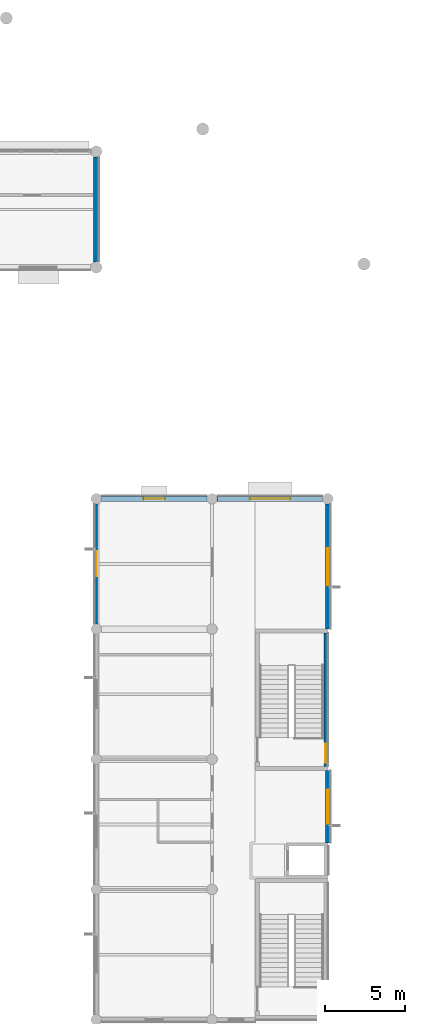
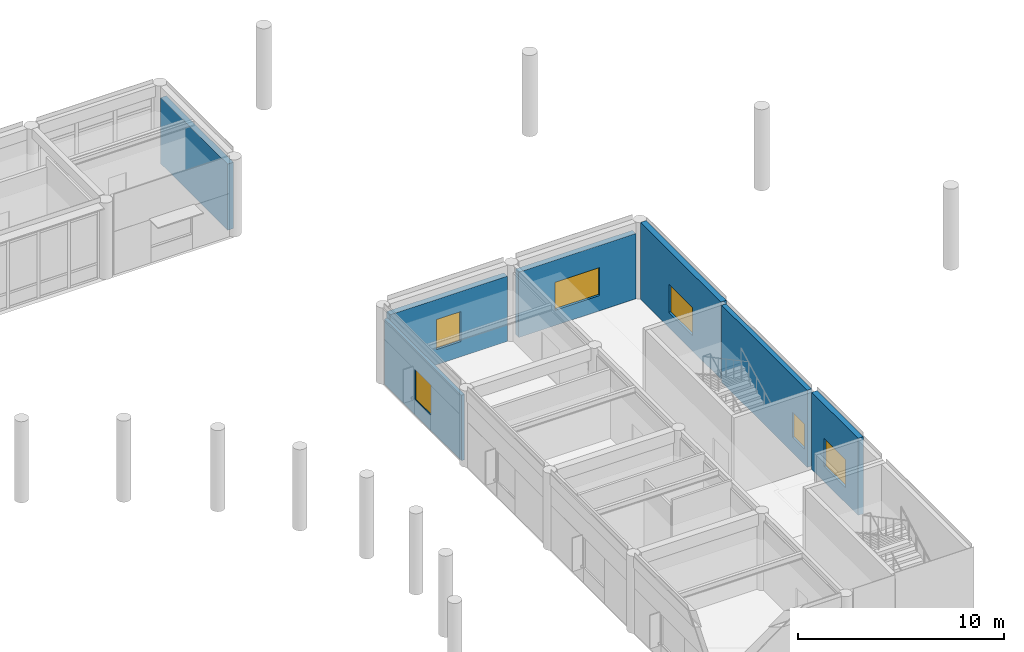
# One storey, part 54 of 92: 7 walls, 6 windows, 6 openings.
"""IFC4 building model written with IfcOpenShell, lengths in metres."""

import ifcopenshell
import ifcopenshell.guid

model = None  # the IFC model being written
_history = None  # IfcOwnerHistory: only IFC2X3 demands one
_inside = {}  # id of a spatial element -> (the spatial element, [elements in it])
_under = {}  # id of a project, library or spatial element -> (it, [spatial elements below it])
_declared = {}  # id of a project -> (the project, [libraries it declares])
_typed = {}  # id of a type object -> (the type object, [elements of that type])
_made_of = {}  # id of a material, layer set ... -> (it, [elements and type objects made of it])


def new_model(schema):
    """Start an empty IFC model of exactly this schema.

    Asked for "IFC4X3", IfcOpenShell would pick the latest addendum, in which some entities
    have other attributes; the version numbers below select the first issue.
    IFC2X3 requires an IfcOwnerHistory on every rooted entity: one is made here for all.
    """
    global model, _history
    if schema == "IFC4X3":
        model = ifcopenshell.file(schema_version=(4, 3, 0, 0))
    else:
        model = ifcopenshell.file(schema=schema)
    _inside.clear()
    _under.clear()
    _declared.clear()
    _typed.clear()
    _made_of.clear()
    _history = None
    if model.schema == "IFC2X3":
        org = make("IfcOrganization", Name="unknown")
        user = make(
            "IfcPersonAndOrganization",
            ThePerson=make("IfcPerson", FamilyName="unknown"),
            TheOrganization=org,
        )
        app = make(
            "IfcApplication",
            ApplicationDeveloper=org,
            Version="unknown",
            ApplicationFullName="unknown",
            ApplicationIdentifier="unknown",
        )
        _history = make(
            "IfcOwnerHistory",
            OwningUser=user,
            OwningApplication=app,
            ChangeAction="ADDED",
            CreationDate=0,
        )
    return model


def make(cls, **values):
    """One entity of the class cls with the attributes given. An attribute that is None is left unset."""
    return model.create_entity(
        cls, **{name: value for name, value in values.items() if value is not None}
    )


def rooted(cls, **values):
    """An entity with a GlobalId (a new one), such as an element, a storey or a relation."""
    return make(cls, GlobalId=ifcopenshell.guid.new(), OwnerHistory=_history, **values)


def si_unit(unit_type, name, prefix=None):
    """IfcSIUnit, for example si_unit("LENGTHUNIT", "METRE", prefix="MILLI")."""
    return make("IfcSIUnit", UnitType=unit_type, Prefix=prefix, Name=name)


def assignment(units):
    """IfcUnitAssignment: the units of a project."""
    return None if units is None else make("IfcUnitAssignment", Units=units)


def point(xyz):
    """IfcCartesianPoint."""
    return None if xyz is None else make("IfcCartesianPoint", Coordinates=xyz)


def direction(xyz):
    """IfcDirection."""
    return None if xyz is None else make("IfcDirection", DirectionRatios=xyz)


def frame(location, z_axis=None, x_axis=None):
    """IfcAxis2Placement3D, a coordinate frame: its origin and axes. An axis left out is left unset."""
    return make(
        "IfcAxis2Placement3D",
        Location=point(location),
        Axis=direction(z_axis),
        RefDirection=direction(x_axis),
    )


def frame_2d(location, x_axis=None):
    """IfcAxis2Placement2D, a coordinate frame in the plane: its origin and x axis."""
    return make(
        "IfcAxis2Placement2D", Location=point(location), RefDirection=direction(x_axis)
    )


def origin():
    """The frame at (0, 0, 0) with its axes left unset."""
    return frame((0.0, 0.0, 0.0))


def place(relative_to, where):
    """IfcLocalPlacement: puts the frame where relative to a parent placement (None: the world)."""
    return make(
        "IfcLocalPlacement", PlacementRelTo=relative_to, RelativePlacement=where
    )


def context(
    kind, dimensions, precision=None, world=None, true_north=None, identifier=None
):
    """IfcGeometricRepresentationContext, for example the 3D "Model" context."""
    return make(
        "IfcGeometricRepresentationContext",
        ContextIdentifier=identifier,
        ContextType=kind,
        CoordinateSpaceDimension=dimensions,
        Precision=precision,
        WorldCoordinateSystem=world,
        TrueNorth=true_north,
    )


def subcontext(parent, identifier, kind, view, scale=None):
    """IfcGeometricRepresentationSubContext, for example "Body" below "Model"."""
    return make(
        "IfcGeometricRepresentationSubContext",
        ContextIdentifier=identifier,
        ContextType=kind,
        ParentContext=parent,
        TargetScale=scale,
        TargetView=view,
    )


def project(units=None, contexts=None):
    """IfcProject with its units and contexts."""
    return rooted(
        "IfcProject",
        Name="project",
        RepresentationContexts=contexts,
        UnitsInContext=assignment(units),
    )


def spatial(cls, under=None, at=None, **own):
    """A site, building, storey or space (cls), placed at a placement, below another one or the project."""
    s = rooted(cls, ObjectPlacement=at, **own)
    if under is not None:
        _under.setdefault(under.id(), (under, []))[1].append(s)
    return s


def profile(cls, at=None, kind="AREA", **sizes):
    """A parametric profile (cls). Its sizes go by their IFC names, for example OverallWidth=200.0."""
    return make(cls, ProfileType=kind, Position=at, **sizes)


def rectangle(**sizes):
    """IfcRectangleProfileDef."""
    return profile("IfcRectangleProfileDef", **sizes)


def extrude(swept, where, along, depth):
    """IfcExtrudedAreaSolid: the profile swept, set in the frame where, extruded along a direction by depth."""
    return make(
        "IfcExtrudedAreaSolid",
        SweptArea=swept,
        Position=where,
        ExtrudedDirection=direction(along),
        Depth=depth,
    )


def shape(context_of_items, identifier, shape_type, items):
    """IfcShapeRepresentation: the items that make up one representation, for example the "Body"."""
    return make(
        "IfcShapeRepresentation",
        ContextOfItems=context_of_items,
        RepresentationIdentifier=identifier,
        RepresentationType=shape_type,
        Items=items,
    )


def material(Name=None, Category=None):
    """IfcMaterial."""
    return make("IfcMaterial", Name=Name, Category=Category)


def layer(
    of_material, thickness, ventilated=None, Name=None, Category=None, Priority=None
):
    """IfcMaterialLayer: one layer of a wall or slab, of a material (None: an air gap)."""
    return make(
        "IfcMaterialLayer",
        Material=of_material,
        LayerThickness=thickness,
        IsVentilated=ventilated,
        Name=Name,
        Category=Category,
        Priority=Priority,
    )


def layer_set(layers, Name=None):
    """IfcMaterialLayerSet."""
    return make("IfcMaterialLayerSet", MaterialLayers=layers, LayerSetName=Name)


def made_of(thing, what):
    """Note that an element or type object is made of a material, layer set ...; save() writes the relation."""
    if what is not None:
        _made_of.setdefault(what.id(), (what, []))[1].append(thing)
    return thing


def type_object(cls, material=None, **own):
    """A type object (cls), such as IfcWallType, which elements share."""
    return made_of(rooted(cls, **own), material)


def element(
    cls,
    number,
    at=None,
    inside=None,
    cuts=None,
    type_object=None,
    material=None,
    context=None,
    identifier="Body",
    shape_type=None,
    held_by="IfcProductDefinitionShape",
    body=None,
    shapes=None,
    **own,
):
    """One element of the class cls, such as IfcWall. Its Tag is "e" and its number.

    at: its placement. inside: the storey or other place that contains it. cuts: it is an
    opening in that element (IfcRelVoidsElement). A single representation is given by context,
    identifier, shape_type and body (its items); several are given by shapes. held_by: the class
    of the entity that holds the representations. save() writes the other relations.
    """
    e = rooted(cls, Tag="e%d" % number, ObjectPlacement=at, **own)
    if body is not None:
        shapes = [shape(context, identifier, shape_type, body)]
    if shapes is not None:
        e.Representation = make(held_by, Representations=shapes)
    if inside is not None:
        _inside.setdefault(inside.id(), (inside, []))[1].append(e)
    if cuts is not None:
        rooted(
            "IfcRelVoidsElement", RelatingBuildingElement=cuts, RelatedOpeningElement=e
        )
    if type_object is not None:
        _typed.setdefault(type_object.id(), (type_object, []))[1].append(e)
    return made_of(e, material)


def fill(opening, filler):
    """IfcRelFillsElement: the door or window that sits in an opening."""
    return rooted(
        "IfcRelFillsElement",
        RelatingOpeningElement=opening,
        RelatedBuildingElement=filler,
    )


def aggregate(whole, parts):
    """IfcRelAggregates: a whole, such as a stair, and the parts it consists of."""
    return rooted("IfcRelAggregates", RelatingObject=whole, RelatedObjects=parts)


def save(model, path):
    """Write the relations noted so far, then the file.

    IfcRelAggregates (storeys below a building ...), IfcRelContainedInSpatialStructure (elements
    in a storey), IfcRelDefinesByType, IfcRelAssociatesMaterial and IfcRelDeclares: one each for
    every whole, place, type object, material and project.
    """
    for whole, parts in _under.values():
        aggregate(whole, parts)
    for where, things in _inside.values():
        rooted(
            "IfcRelContainedInSpatialStructure",
            RelatedElements=things,
            RelatingStructure=where,
        )
    for kind, things in _typed.values():
        rooted("IfcRelDefinesByType", RelatedObjects=things, RelatingType=kind)
    for what, things in _made_of.values():
        rooted("IfcRelAssociatesMaterial", RelatedObjects=things, RelatingMaterial=what)
    for by, libraries in _declared.values():
        rooted("IfcRelDeclares", RelatingContext=by, RelatedDefinitions=libraries)
    model.write(path)


model = new_model("IFC4")

# Units and contexts
model_context = context("Model", 3, precision=1e-05, world=origin(), true_north=direction((0.0, 1.0)))
body_context = subcontext(model_context, "Body", "Model", "MODEL_VIEW")
ifc_project = project(units=[si_unit("LENGTHUNIT", "METRE"), si_unit("AREAUNIT", "SQUARE_METRE"), si_unit("VOLUMEUNIT", "CUBIC_METRE"), si_unit("PLANEANGLEUNIT", "RADIAN"), si_unit("MASSUNIT", "GRAM", prefix="KILO")], contexts=[model_context])

# Site, building, storey
site_placement = place(None, origin())
site = spatial("IfcSite", under=ifc_project, at=site_placement, CompositionType="ELEMENT")
building_placement = place(site_placement, origin())
building = spatial("IfcBuilding", under=site, at=building_placement, Name="Namkhue Oval Health Centre", CompositionType="ELEMENT")
storey_placement = place(building_placement, frame((0.0, 0.0, 4.800048828125)))
storey = spatial("IfcBuildingStorey", under=building, at=storey_placement, Name="L01", CompositionType="ELEMENT", Elevation=4.800048828125)

# Wall, opening, window
ifc_material_1 = material(Name="Autoclaved aerated concrete blockwork M7.5", Category="masonry")
ifc_layer_1 = layer(ifc_material_1, 0.179931640625)
ifc_layer_set_1 = layer_set([ifc_layer_1], Name="Autoclaved aerated concrete blockwork M7.5")
wall_type_1 = type_object("IfcWallType", Name="EXTERIOR ENVELOPE WALL 180", PredefinedType="STANDARD", material=ifc_layer_set_1)
wall_1_placement = place(storey_placement, frame((136.800048828125, 75.280029296875, 0.0), z_axis=(0.0, 0.0, 1.0), x_axis=(0.0, -1.0, 0.0)))
wall_1 = element("IfcWall", 1, at=wall_1_placement, inside=storey, type_object=wall_type_1, Name="Volume V6 L01 Exterior Envelope Wall 177", PredefinedType="STANDARD", context=body_context, shape_type="SweptSolid", body=[
    extrude(rectangle(XDim=7.4599609375, YDim=0.179931640625, at=frame_2d((3.72998046875, 0.0))), origin(), (0.0, 0.0, 1.0), 3.867919921875),
])
opening_1_placement = place(wall_1_placement, frame((2.955078125, 0.0, 0.89990234375)))
opening_1 = element("IfcOpeningElement", 2, at=opening_1_placement, cuts=wall_1, Name="Opening WN-42", PredefinedType="OPENING", context=body_context, shape_type="SweptSolid", body=[
    extrude(rectangle(XDim=1.550048828125, YDim=1.780029296875, at=frame_2d((0.77490234375, 0.89013671875))), frame((0.0, 0.099853515625, 0.0), z_axis=(0.0, -1.0, 0.0), x_axis=(1.0, 0.0, 0.0)), (0.0, 0.0, 1.0), 0.199951171875),
])
ifc_material_2 = material(Name="Thermally broken low-E laminated double glazing", Category="glass")
window_type_1 = type_object("IfcWindowType", Name="EXTERIOR WINDOW 1550X1780", PartitioningType="SINGLE_PANEL", PredefinedType="WINDOW", material=ifc_material_2)
window_1_placement = place(opening_1_placement, origin())
window_1 = element("IfcWindow", 3, at=window_1_placement, inside=storey, type_object=window_type_1, Name="Volume V6 L01 Exterior Window 132", OverallHeight=1.780029296875, OverallWidth=1.550048828125, PartitioningType="SINGLE_PANEL", PredefinedType="WINDOW", context=body_context, shape_type="SweptSolid", body=[
    extrude(rectangle(XDim=1.550048828125, YDim=1.780029296875, at=frame_2d((0.77490234375, 0.89013671875))), frame((0.0, 0.030029296875, 0.0), z_axis=(0.0, -1.0, 0.0), x_axis=(1.0, 0.0, 0.0)), (0.0, 0.0, 1.0), 0.06005859375),
])
fill(opening_1, window_1)

ifc_layer_2 = layer(ifc_material_1, 0.300048828125)
ifc_layer_set_2 = layer_set([ifc_layer_2], Name="Autoclaved aerated concrete blockwork M7.5")
wall_type_2 = type_object("IfcWallType", Name="EXTERIOR ENVELOPE WALL 300", PredefinedType="STANDARD", material=ifc_layer_set_2)
wall_2_placement = place(storey_placement, frame((151.199951171875, 54.201904296875, 0.0), z_axis=(0.0, 0.0, 1.0), x_axis=(0.0, 1.0, 0.0)))
wall_2 = element("IfcWall", 4, at=wall_2_placement, inside=storey, type_object=wall_type_2, Name="Volume V6 L01 Exterior Envelope Wall 173", PredefinedType="STANDARD", context=body_context, shape_type="SweptSolid", body=[
    extrude(rectangle(XDim=4.49609375, YDim=0.300048828125, at=frame_2d((2.248046875, 0.0))), origin(), (0.0, 0.0, 1.0), 4.56005859375),
])
opening_2_placement = place(wall_2_placement, frame((1.197998046875, 0.0, 0.89990234375)))
opening_2 = element("IfcOpeningElement", 5, at=opening_2_placement, cuts=wall_2, Name="Opening WN-38", PredefinedType="OPENING", context=body_context, shape_type="SweptSolid", body=[
    extrude(rectangle(XDim=2.10009765625, YDim=1.659912109375, at=frame_2d((1.050048828125, 0.830078125))), frame((0.0, 0.159912109375, 0.0), z_axis=(0.0, -1.0, 0.0), x_axis=(1.0, 0.0, 0.0)), (0.0, 0.0, 1.0), 0.320068359375),
])
window_type_2 = type_object("IfcWindowType", Name="EXTERIOR WINDOW 2100X1660", PartitioningType="SINGLE_PANEL", PredefinedType="WINDOW", material=ifc_material_2)
window_2_placement = place(opening_2_placement, origin())
window_2 = element("IfcWindow", 6, at=window_2_placement, inside=storey, type_object=window_type_2, Name="Volume V6 L01 Exterior Window 128", OverallHeight=1.659912109375, OverallWidth=2.10009765625, PartitioningType="SINGLE_PANEL", PredefinedType="WINDOW", context=body_context, shape_type="SweptSolid", body=[
    extrude(rectangle(XDim=2.10009765625, YDim=1.659912109375, at=frame_2d((1.050048828125, 0.830078125))), frame((0.0, 0.030029296875, 0.0), z_axis=(0.0, -1.0, 0.0), x_axis=(1.0, 0.0, 0.0)), (0.0, 0.0, 1.0), 0.06005859375),
])
fill(opening_2, window_2)

ifc_layer_3 = layer(ifc_material_1, 0.31005859375)
ifc_layer_set_3 = layer_set([ifc_layer_3], Name="Autoclaved aerated concrete blockwork M7.5")
wall_type_3 = type_object("IfcWallType", Name="EXTERIOR ENVELOPE WALL 310", PredefinedType="STANDARD", material=ifc_layer_set_3)
wall_3_placement = place(storey_placement, frame((151.199951171875, 67.501953125, 0.0), z_axis=(0.0, 0.0, 1.0), x_axis=(0.0, 1.0, 0.0)))
wall_3 = element("IfcWall", 7, at=wall_3_placement, inside=storey, type_object=wall_type_3, Name="Volume V6 L01 Exterior Envelope Wall 174", PredefinedType="STANDARD", context=body_context, shape_type="SweptSolid", body=[
    extrude(rectangle(XDim=7.778076171875, YDim=0.31005859375, at=frame_2d((3.88916015625, 0.0))), origin(), (0.0, 0.0, 1.0), 4.56005859375),
])
opening_3_placement = place(wall_3_placement, frame((2.739013671875, 0.0, 0.89990234375)))
opening_3 = element("IfcOpeningElement", 8, at=opening_3_placement, cuts=wall_3, Name="Opening WN-39", PredefinedType="OPENING", context=body_context, shape_type="SweptSolid", body=[
    extrude(rectangle(XDim=2.300048828125, YDim=1.659912109375, at=frame_2d((1.14990234375, 0.830078125))), frame((0.0, 0.1650390625, 0.0), z_axis=(0.0, -1.0, 0.0), x_axis=(1.0, 0.0, 0.0)), (0.0, 0.0, 1.0), 0.330078125),
])
window_type_3 = type_object("IfcWindowType", Name="EXTERIOR WINDOW 2300X1660", PartitioningType="SINGLE_PANEL", PredefinedType="WINDOW", material=ifc_material_2)
window_3_placement = place(opening_3_placement, origin())
window_3 = element("IfcWindow", 9, at=window_3_placement, inside=storey, type_object=window_type_3, Name="Volume V6 L01 Exterior Window 129", OverallHeight=1.659912109375, OverallWidth=2.300048828125, PartitioningType="SINGLE_PANEL", PredefinedType="WINDOW", context=body_context, shape_type="SweptSolid", body=[
    extrude(rectangle(XDim=2.300048828125, YDim=1.659912109375, at=frame_2d((1.14990234375, 0.830078125))), frame((0.0, 0.030029296875, 0.0), z_axis=(0.0, -1.0, 0.0), x_axis=(1.0, 0.0, 0.0)), (0.0, 0.0, 1.0), 0.06005859375),
])
fill(opening_3, window_3)

# Wall
ifc_layer_4 = layer(ifc_material_1, 0.320068359375)
ifc_layer_set_4 = layer_set([ifc_layer_4], Name="Autoclaved aerated concrete blockwork M7.5")
wall_type_4 = type_object("IfcWallType", Name="EXTERIOR ENVELOPE WALL 320", PredefinedType="STANDARD", material=ifc_layer_set_4)
wall_4_placement = place(storey_placement, frame((136.800048828125, 90.344970703125, 0.0), z_axis=(0.0, 0.0, 1.0), x_axis=(0.0, 1.0, 0.0)))
element("IfcWall", 10, at=wall_4_placement, inside=storey, type_object=wall_type_4, Name="Volume V3 L01 Exterior Envelope Wall 63", PredefinedType="STANDARD", context=body_context, shape_type="SweptSolid", body=[
    extrude(rectangle(XDim=6.510009765625, YDim=0.320068359375, at=frame_2d((3.2548828125, 0.0))), origin(), (0.0, 0.0, 1.0), 3.911865234375),
])

# Wall, opening, window
wall_5_placement = place(storey_placement, frame((150.8798828125, 75.60009765625, 0.0), z_axis=(0.0, 0.0, 1.0), x_axis=(-1.0, 0.0, 0.0)))
wall_5 = element("IfcWall", 11, at=wall_5_placement, inside=storey, type_object=wall_type_4, Name="Volume V6 L01 Exterior Envelope Wall 175", PredefinedType="STANDARD", context=body_context, shape_type="SweptSolid", body=[
    extrude(rectangle(XDim=6.559814453125, YDim=0.320068359375, at=frame_2d((3.27978515625, 0.0))), origin(), (0.0, 0.0, 1.0), 3.867919921875),
])
opening_4_placement = place(wall_5_placement, frame((2.030029296875, 0.0, 0.89990234375)))
opening_4 = element("IfcOpeningElement", 12, at=opening_4_placement, cuts=wall_5, Name="Opening WN-40", PredefinedType="OPENING", context=body_context, shape_type="SweptSolid", body=[
    extrude(rectangle(XDim=2.5, YDim=1.659912109375, at=frame_2d((1.25, 0.830078125))), frame((0.0, 0.169921875, 0.0), z_axis=(0.0, -1.0, 0.0), x_axis=(1.0, 0.0, 0.0)), (0.0, 0.0, 1.0), 0.340087890625),
])
window_type_4 = type_object("IfcWindowType", Name="EXTERIOR WINDOW 2500X1660", PartitioningType="SINGLE_PANEL", PredefinedType="WINDOW", material=ifc_material_2)
window_4_placement = place(opening_4_placement, origin())
window_4 = element("IfcWindow", 13, at=window_4_placement, inside=storey, type_object=window_type_4, Name="Volume V6 L01 Exterior Window 130", OverallHeight=1.659912109375, OverallWidth=2.5, PartitioningType="SINGLE_PANEL", PredefinedType="WINDOW", context=body_context, shape_type="SweptSolid", body=[
    extrude(rectangle(XDim=2.5, YDim=1.659912109375, at=frame_2d((1.25, 0.830078125))), frame((0.0, 0.030029296875, 0.0), z_axis=(0.0, -1.0, 0.0), x_axis=(1.0, 0.0, 0.0)), (0.0, 0.0, 1.0), 0.06005859375),
])
fill(opening_4, window_4)

ifc_layer_5 = layer(ifc_material_1, 0.330078125)
ifc_layer_set_5 = layer_set([ifc_layer_5], Name="Autoclaved aerated concrete blockwork M7.5")
wall_type_5 = type_object("IfcWallType", Name="EXTERIOR ENVELOPE WALL 330", PredefinedType="STANDARD", material=ifc_layer_set_5)
wall_6_placement = place(storey_placement, frame((143.679931640625, 75.60009765625, 0.0), z_axis=(0.0, 0.0, 1.0), x_axis=(-1.0, 0.0, 0.0)))
wall_6 = element("IfcWall", 14, at=wall_6_placement, inside=storey, type_object=wall_type_5, Name="Volume V6 L01 Exterior Envelope Wall 176", PredefinedType="STANDARD", context=body_context, shape_type="SweptSolid", body=[
    extrude(rectangle(XDim=6.559814453125, YDim=0.330078125, at=frame_2d((3.27978515625, 0.0))), origin(), (0.0, 0.0, 1.0), 3.867919921875),
])
opening_5_placement = place(wall_6_placement, frame((2.60498046875, 0.0, 0.89990234375)))
opening_5 = element("IfcOpeningElement", 15, at=opening_5_placement, cuts=wall_6, Name="Opening WN-41", PredefinedType="OPENING", context=body_context, shape_type="SweptSolid", body=[
    extrude(rectangle(XDim=1.35009765625, YDim=1.780029296875, at=frame_2d((0.675048828125, 0.89013671875))), frame((0.0, 0.175048828125, 0.0), z_axis=(0.0, -1.0, 0.0), x_axis=(1.0, 0.0, 0.0)), (0.0, 0.0, 1.0), 0.35009765625),
])
window_type_5 = type_object("IfcWindowType", Name="EXTERIOR WINDOW 1350X1780", PartitioningType="SINGLE_PANEL", PredefinedType="WINDOW", material=ifc_material_2)
window_5_placement = place(opening_5_placement, origin())
window_5 = element("IfcWindow", 16, at=window_5_placement, inside=storey, type_object=window_type_5, Name="Volume V6 L01 Exterior Window 131", OverallHeight=1.780029296875, OverallWidth=1.35009765625, PartitioningType="SINGLE_PANEL", PredefinedType="WINDOW", context=body_context, shape_type="SweptSolid", body=[
    extrude(rectangle(XDim=1.35009765625, YDim=1.780029296875, at=frame_2d((0.675048828125, 0.89013671875))), frame((0.0, 0.030029296875, 0.0), z_axis=(0.0, -1.0, 0.0), x_axis=(1.0, 0.0, 0.0)), (0.0, 0.0, 1.0), 0.06005859375),
])
fill(opening_5, window_5)

ifc_material_3 = material(Name="Reinforced concrete C35/45 (TCVN B40)", Category="concrete")
ifc_layer_6 = layer(ifc_material_3, 0.25)
ifc_layer_set_6 = layer_set([ifc_layer_6], Name="Reinforced concrete C35/45 (TCVN B40)")
wall_type_6 = type_object("IfcWallType", Name="SHEAR CORE WALL EXT 250", PredefinedType="SHEAR", material=ifc_layer_set_6)
wall_7_placement = place(storey_placement, frame((151.074951171875, 58.949951171875, 0.0), z_axis=(0.0, 0.0, 1.0), x_axis=(0.0, 1.0, 0.0)))
wall_7 = element("IfcWall", 17, at=wall_7_placement, inside=storey, type_object=wall_type_6, Name="Core SC-12 L01 Shear Wall E", PredefinedType="SHEAR", context=body_context, shape_type="SweptSolid", body=[
    extrude(rectangle(XDim=8.300048828125, YDim=0.25, at=frame_2d((4.14990234375, 0.0))), origin(), (0.0, 0.0, 1.0), 4.56005859375),
])
opening_6_placement = place(wall_7_placement, frame((0.25, 0.0, 0.919921875)))
opening_6 = element("IfcOpeningElement", 18, at=opening_6_placement, cuts=wall_7, Name="Opening SWN-01", PredefinedType="OPENING", context=body_context, shape_type="SweptSolid", body=[
    extrude(rectangle(XDim=1.179931640625, YDim=1.47998046875, at=frame_2d((0.58984375, 0.739990234375))), frame((0.0, 0.135009765625, 0.0), z_axis=(0.0, -1.0, 0.0), x_axis=(1.0, 0.0, 0.0)), (0.0, 0.0, 1.0), 0.27001953125),
])
ifc_material_4 = material(Name="Fire-rated insulated safety double glazing", Category="glass")
window_type_6 = type_object("IfcWindowType", Name="EXTERIOR WINDOW STAIRWELL 1180X1480", PartitioningType="SINGLE_PANEL", PredefinedType="WINDOW", material=ifc_material_4)
window_6_placement = place(opening_6_placement, origin())
window_6 = element("IfcWindow", 19, at=window_6_placement, inside=storey, type_object=window_type_6, Name="Stair ST-12 L01 Stairwell Daylight Window", OverallHeight=1.47998046875, OverallWidth=1.179931640625, PartitioningType="SINGLE_PANEL", PredefinedType="WINDOW", context=body_context, shape_type="SweptSolid", body=[
    extrude(rectangle(XDim=1.179931640625, YDim=1.47998046875, at=frame_2d((0.58984375, 0.739990234375))), frame((0.0, 0.030029296875, 0.0), z_axis=(0.0, -1.0, 0.0), x_axis=(1.0, 0.0, 0.0)), (0.0, 0.0, 1.0), 0.06005859375),
])
fill(opening_6, window_6)

save(model, "model.ifc")
